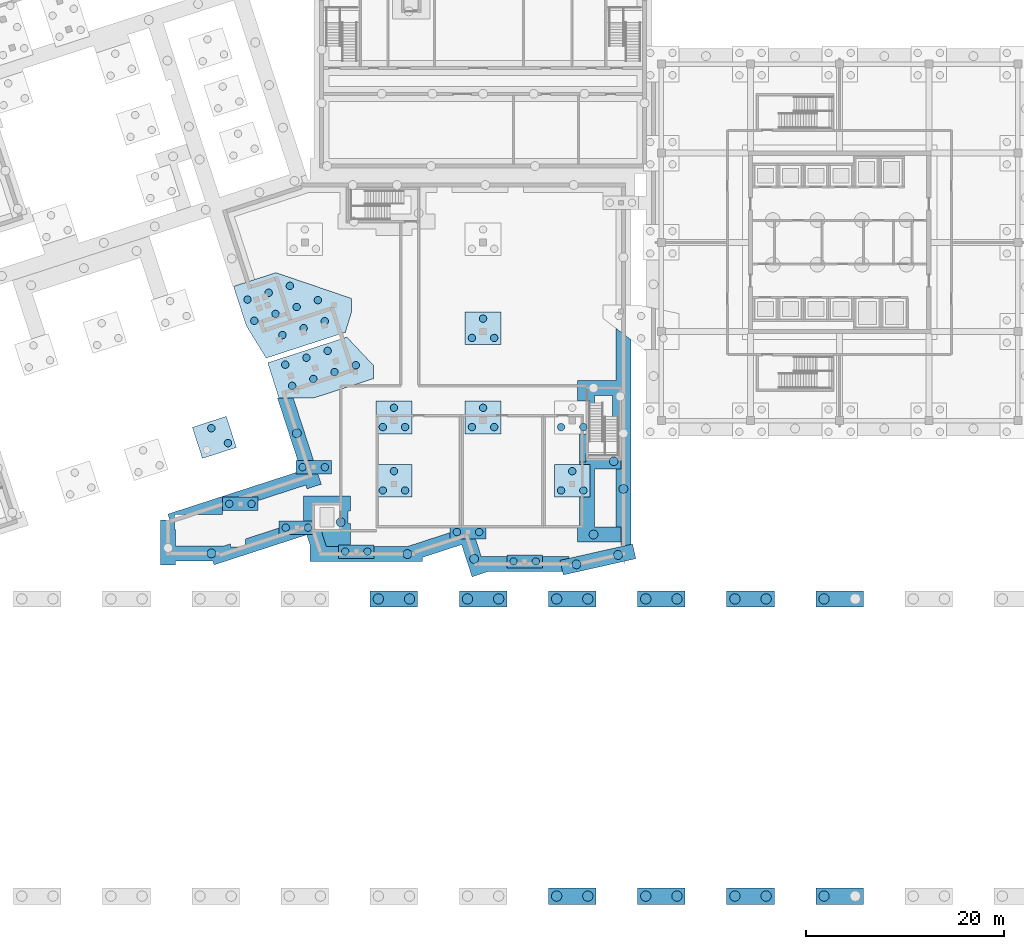
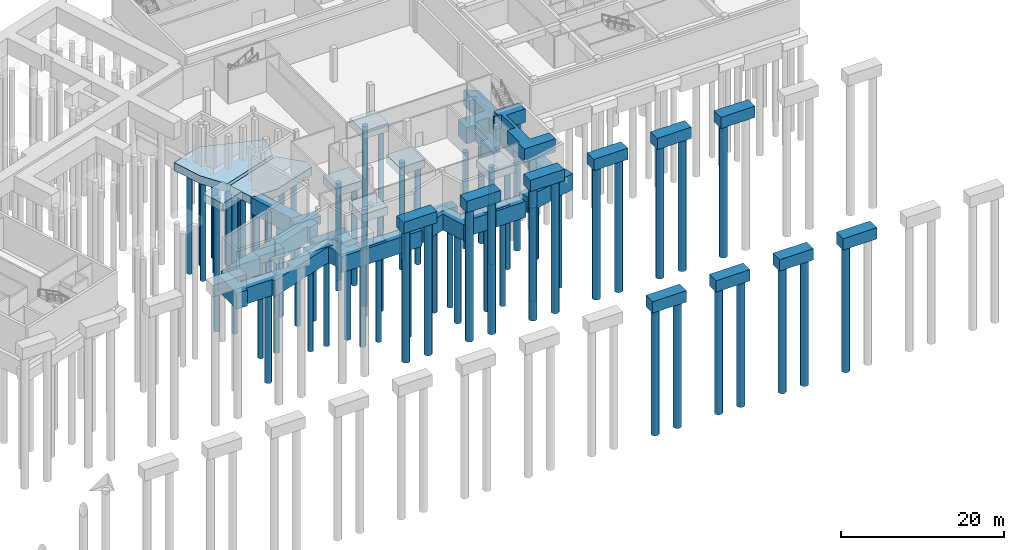
# One storey, part 2 of 17: 76 piles, 30 footings.
"""IFC4 building model written with IfcOpenShell, lengths in metres."""

import ifcopenshell
import ifcopenshell.guid

model = None  # the IFC model being written
_history = None  # IfcOwnerHistory: only IFC2X3 demands one
_inside = {}  # id of a spatial element -> (the spatial element, [elements in it])
_under = {}  # id of a project, library or spatial element -> (it, [spatial elements below it])
_declared = {}  # id of a project -> (the project, [libraries it declares])
_typed = {}  # id of a type object -> (the type object, [elements of that type])
_made_of = {}  # id of a material, layer set ... -> (it, [elements and type objects made of it])


def new_model(schema):
    """Start an empty IFC model of exactly this schema.

    Asked for "IFC4X3", IfcOpenShell would pick the latest addendum, in which some entities
    have other attributes; the version numbers below select the first issue.
    IFC2X3 requires an IfcOwnerHistory on every rooted entity: one is made here for all.
    """
    global model, _history
    if schema == "IFC4X3":
        model = ifcopenshell.file(schema_version=(4, 3, 0, 0))
    else:
        model = ifcopenshell.file(schema=schema)
    _inside.clear()
    _under.clear()
    _declared.clear()
    _typed.clear()
    _made_of.clear()
    _history = None
    if model.schema == "IFC2X3":
        org = make("IfcOrganization", Name="unknown")
        user = make(
            "IfcPersonAndOrganization",
            ThePerson=make("IfcPerson", FamilyName="unknown"),
            TheOrganization=org,
        )
        app = make(
            "IfcApplication",
            ApplicationDeveloper=org,
            Version="unknown",
            ApplicationFullName="unknown",
            ApplicationIdentifier="unknown",
        )
        _history = make(
            "IfcOwnerHistory",
            OwningUser=user,
            OwningApplication=app,
            ChangeAction="ADDED",
            CreationDate=0,
        )
    return model


def make(cls, **values):
    """One entity of the class cls with the attributes given. An attribute that is None is left unset."""
    return model.create_entity(
        cls, **{name: value for name, value in values.items() if value is not None}
    )


def rooted(cls, **values):
    """An entity with a GlobalId (a new one), such as an element, a storey or a relation."""
    return make(cls, GlobalId=ifcopenshell.guid.new(), OwnerHistory=_history, **values)


def si_unit(unit_type, name, prefix=None):
    """IfcSIUnit, for example si_unit("LENGTHUNIT", "METRE", prefix="MILLI")."""
    return make("IfcSIUnit", UnitType=unit_type, Prefix=prefix, Name=name)


def assignment(units):
    """IfcUnitAssignment: the units of a project."""
    return None if units is None else make("IfcUnitAssignment", Units=units)


def point(xyz):
    """IfcCartesianPoint."""
    return None if xyz is None else make("IfcCartesianPoint", Coordinates=xyz)


def direction(xyz):
    """IfcDirection."""
    return None if xyz is None else make("IfcDirection", DirectionRatios=xyz)


def frame(location, z_axis=None, x_axis=None):
    """IfcAxis2Placement3D, a coordinate frame: its origin and axes. An axis left out is left unset."""
    return make(
        "IfcAxis2Placement3D",
        Location=point(location),
        Axis=direction(z_axis),
        RefDirection=direction(x_axis),
    )


def frame_2d(location, x_axis=None):
    """IfcAxis2Placement2D, a coordinate frame in the plane: its origin and x axis."""
    return make(
        "IfcAxis2Placement2D", Location=point(location), RefDirection=direction(x_axis)
    )


def origin():
    """The frame at (0, 0, 0) with its axes left unset."""
    return frame((0.0, 0.0, 0.0))


def origin_2d():
    """The frame at (0, 0) in the plane with its x axis left unset."""
    return frame_2d((0.0, 0.0))


def place(relative_to, where):
    """IfcLocalPlacement: puts the frame where relative to a parent placement (None: the world)."""
    return make(
        "IfcLocalPlacement", PlacementRelTo=relative_to, RelativePlacement=where
    )


def context(
    kind, dimensions, precision=None, world=None, true_north=None, identifier=None
):
    """IfcGeometricRepresentationContext, for example the 3D "Model" context."""
    return make(
        "IfcGeometricRepresentationContext",
        ContextIdentifier=identifier,
        ContextType=kind,
        CoordinateSpaceDimension=dimensions,
        Precision=precision,
        WorldCoordinateSystem=world,
        TrueNorth=true_north,
    )


def subcontext(parent, identifier, kind, view, scale=None):
    """IfcGeometricRepresentationSubContext, for example "Body" below "Model"."""
    return make(
        "IfcGeometricRepresentationSubContext",
        ContextIdentifier=identifier,
        ContextType=kind,
        ParentContext=parent,
        TargetScale=scale,
        TargetView=view,
    )


def project(units=None, contexts=None):
    """IfcProject with its units and contexts."""
    return rooted(
        "IfcProject",
        Name="project",
        RepresentationContexts=contexts,
        UnitsInContext=assignment(units),
    )


def spatial(cls, under=None, at=None, **own):
    """A site, building, storey or space (cls), placed at a placement, below another one or the project."""
    s = rooted(cls, ObjectPlacement=at, **own)
    if under is not None:
        _under.setdefault(under.id(), (under, []))[1].append(s)
    return s


def polyline(points):
    """IfcPolyline through the points."""
    return make("IfcPolyline", Points=[point(p) for p in points])


def profile(cls, at=None, kind="AREA", **sizes):
    """A parametric profile (cls). Its sizes go by their IFC names, for example OverallWidth=200.0."""
    return make(cls, ProfileType=kind, Position=at, **sizes)


def rectangle(**sizes):
    """IfcRectangleProfileDef."""
    return profile("IfcRectangleProfileDef", **sizes)


def circle(**sizes):
    """IfcCircleProfileDef."""
    return profile("IfcCircleProfileDef", **sizes)


def outline(outer, holes=None, kind="AREA"):
    """IfcArbitraryClosedProfileDef: a profile drawn as a closed curve; with holes, ...WithVoids."""
    if holes is None:
        return make("IfcArbitraryClosedProfileDef", ProfileType=kind, OuterCurve=outer)
    return make(
        "IfcArbitraryProfileDefWithVoids",
        ProfileType=kind,
        OuterCurve=outer,
        InnerCurves=holes,
    )


def extrude(swept, where, along, depth):
    """IfcExtrudedAreaSolid: the profile swept, set in the frame where, extruded along a direction by depth."""
    return make(
        "IfcExtrudedAreaSolid",
        SweptArea=swept,
        Position=where,
        ExtrudedDirection=direction(along),
        Depth=depth,
    )


def shape(context_of_items, identifier, shape_type, items):
    """IfcShapeRepresentation: the items that make up one representation, for example the "Body"."""
    return make(
        "IfcShapeRepresentation",
        ContextOfItems=context_of_items,
        RepresentationIdentifier=identifier,
        RepresentationType=shape_type,
        Items=items,
    )


def material(Name=None, Category=None):
    """IfcMaterial."""
    return make("IfcMaterial", Name=Name, Category=Category)


def layer(
    of_material, thickness, ventilated=None, Name=None, Category=None, Priority=None
):
    """IfcMaterialLayer: one layer of a wall or slab, of a material (None: an air gap)."""
    return make(
        "IfcMaterialLayer",
        Material=of_material,
        LayerThickness=thickness,
        IsVentilated=ventilated,
        Name=Name,
        Category=Category,
        Priority=Priority,
    )


def layer_set(layers, Name=None):
    """IfcMaterialLayerSet."""
    return make("IfcMaterialLayerSet", MaterialLayers=layers, LayerSetName=Name)


def material_profile(
    of_material, cross_section, Name=None, Category=None, Priority=None
):
    """IfcMaterialProfile: a cross section and its material."""
    return make(
        "IfcMaterialProfile",
        Name=Name,
        Material=of_material,
        Profile=cross_section,
        Priority=Priority,
        Category=Category,
    )


def profile_set(profiles, Name=None, composite=None):
    """IfcMaterialProfileSet."""
    return make(
        "IfcMaterialProfileSet",
        Name=Name,
        MaterialProfiles=profiles,
        CompositeProfile=composite,
    )


def made_of(thing, what):
    """Note that an element or type object is made of a material, layer set ...; save() writes the relation."""
    if what is not None:
        _made_of.setdefault(what.id(), (what, []))[1].append(thing)
    return thing


def type_object(cls, material=None, **own):
    """A type object (cls), such as IfcWallType, which elements share."""
    return made_of(rooted(cls, **own), material)


def element(
    cls,
    number,
    at=None,
    inside=None,
    cuts=None,
    type_object=None,
    material=None,
    context=None,
    identifier="Body",
    shape_type=None,
    held_by="IfcProductDefinitionShape",
    body=None,
    shapes=None,
    **own,
):
    """One element of the class cls, such as IfcWall. Its Tag is "e" and its number.

    at: its placement. inside: the storey or other place that contains it. cuts: it is an
    opening in that element (IfcRelVoidsElement). A single representation is given by context,
    identifier, shape_type and body (its items); several are given by shapes. held_by: the class
    of the entity that holds the representations. save() writes the other relations.
    """
    e = rooted(cls, Tag="e%d" % number, ObjectPlacement=at, **own)
    if body is not None:
        shapes = [shape(context, identifier, shape_type, body)]
    if shapes is not None:
        e.Representation = make(held_by, Representations=shapes)
    if inside is not None:
        _inside.setdefault(inside.id(), (inside, []))[1].append(e)
    if cuts is not None:
        rooted(
            "IfcRelVoidsElement", RelatingBuildingElement=cuts, RelatedOpeningElement=e
        )
    if type_object is not None:
        _typed.setdefault(type_object.id(), (type_object, []))[1].append(e)
    return made_of(e, material)


def aggregate(whole, parts):
    """IfcRelAggregates: a whole, such as a stair, and the parts it consists of."""
    return rooted("IfcRelAggregates", RelatingObject=whole, RelatedObjects=parts)


def save(model, path):
    """Write the relations noted so far, then the file.

    IfcRelAggregates (storeys below a building ...), IfcRelContainedInSpatialStructure (elements
    in a storey), IfcRelDefinesByType, IfcRelAssociatesMaterial and IfcRelDeclares: one each for
    every whole, place, type object, material and project.
    """
    for whole, parts in _under.values():
        aggregate(whole, parts)
    for where, things in _inside.values():
        rooted(
            "IfcRelContainedInSpatialStructure",
            RelatedElements=things,
            RelatingStructure=where,
        )
    for kind, things in _typed.values():
        rooted("IfcRelDefinesByType", RelatedObjects=things, RelatingType=kind)
    for what, things in _made_of.values():
        rooted("IfcRelAssociatesMaterial", RelatedObjects=things, RelatingMaterial=what)
    for by, libraries in _declared.values():
        rooted("IfcRelDeclares", RelatingContext=by, RelatedDefinitions=libraries)
    model.write(path)


model = new_model("IFC4")

# Units and contexts
model_context = context("Model", 3, precision=1e-05, world=origin(), true_north=direction((0.0, 1.0)))
body_context = subcontext(model_context, "Body", "Model", "MODEL_VIEW")
ifc_project = project(units=[si_unit("LENGTHUNIT", "METRE"), si_unit("AREAUNIT", "SQUARE_METRE"), si_unit("VOLUMEUNIT", "CUBIC_METRE"), si_unit("PLANEANGLEUNIT", "RADIAN"), si_unit("MASSUNIT", "GRAM", prefix="KILO")], contexts=[model_context])

# Site, building, storey
site_placement = place(None, origin())
site = spatial("IfcSite", under=ifc_project, at=site_placement, CompositionType="ELEMENT")
building_placement = place(site_placement, origin())
building = spatial("IfcBuilding", under=site, at=building_placement, Name="Tuart Plaza Theatre", CompositionType="ELEMENT")
storey_placement = place(building_placement, frame((0.0, 0.0, -10.0)))
storey = spatial("IfcBuildingStorey", under=building, at=storey_placement, Name="B2", CompositionType="ELEMENT", Elevation=-10.0)

# Footings
ifc_material_1 = material(Name="Concrete N40 (40 MPa)", Category="concrete")
footing_type_1 = type_object("IfcFootingType", Name="CAP-2P-D1050-4800X1650X1700", PredefinedType="PILE_CAP", material=ifc_material_1)
for number, where, z_axis, x_axis, name in (
    (1, (87.0, 38.0, 3.2998046875), (0.0, 0.0, 1.0), (1.0, 0.0, 0.0), "D-CAP-044"),
    (2, (96.0, 38.0, 3.2998046875), (0.0, 0.0, 1.0), (1.0, 0.0, 0.0), "D-CAP-051"),
    (3, (105.0, 8.0, 3.2998046875), (0.0, 0.0, 1.0), (1.0, 0.0, 0.0), "D-CAP-058"),
    (4, (105.0, 38.0, 3.2998046875), (0.0, 0.0, 1.0), (1.0, 0.0, 0.0), "D-CAP-059"),
    (5, (114.0, 8.0, 3.2998046875), (0.0, 0.0, 1.0), (1.0, 0.0, 0.0), "D-CAP-064"),
    (6, (114.0, 38.0, 3.2998046875), (0.0, 0.0, 1.0), (1.0, 0.0, 0.0), "D-CAP-065"),
    (7, (123.0, 8.0, 3.2998046875), (0.0, 0.0, 1.0), (1.0, 0.0, 0.0), "D-CAP-070"),
    (8, (123.0, 38.0, 3.2998046875), (0.0, 0.0, 1.0), (1.0, 0.0, 0.0), "D-CAP-071"),
    (9, (132.0, 8.0, 3.2998046875), (0.0, 0.0, 1.0), (1.0, 0.0, 0.0), "D-CAP-075"),
    (10, (132.0, 38.0, 3.2998046875), (0.0, 0.0, 1.0), (1.0, 0.0, 0.0), "D-CAP-076"),
):
    element("IfcFooting", number, at=place(storey_placement, frame(where, z_axis=z_axis, x_axis=x_axis)), inside=storey, type_object=footing_type_1, Name=name, PredefinedType="PILE_CAP", context=body_context, shape_type="SweptSolid", body=[
        extrude(rectangle(XDim=4.800048828125, YDim=1.64990234375, at=origin_2d()), origin(), (0.0, 0.0, 1.0), 1.699951171875),
    ])
ifc_material_2 = material(Name="Concrete N40 (40 MPa)", Category="concrete")
footing_type_2 = type_object("IfcFootingType", Name="CAP-2P-D750-3600X1350X1200", PredefinedType="PILE_CAP", material=ifc_material_2)
for number, where, z_axis, x_axis, name in (
    (11, (71.5, 47.60009765625, -2.0), (0.0, 0.0, 1.0), (1.0, 0.0, 0.0), "D-CAP-033"),
    (12, (77.199951171875, 45.199951171875, -2.0), (0.0, 0.0, 1.0), (1.0, 0.0, 0.0), "D-CAP-036"),
    (13, (78.89990234375, 51.300048828125, -2.0), (0.0, 0.0, 1.0), (1.0, 0.0, 0.0), "D-CAP-040"),
    (14, (83.199951171875, 42.780029296875, -2.0), (0.0, 0.0, 1.0), (1.0, 0.0, 0.0), "D-CAP-042"),
    (15, (94.47998046875, 44.75, -2.0), (0.0, 0.0, 1.0), (1.0, 0.0, 0.0), "D-CAP-049"),
    (16, (100.199951171875, 41.780029296875, -2.0), (0.0, 0.0, 1.0), (1.0, 0.0, 0.0), "D-CAP-055"),
):
    element("IfcFooting", number, at=place(storey_placement, frame(where, z_axis=z_axis, x_axis=x_axis)), inside=storey, type_object=footing_type_2, Name=name, PredefinedType="PILE_CAP", context=body_context, shape_type="SweptSolid", body=[
        extrude(rectangle(XDim=3.60009765625, YDim=1.35009765625, at=origin_2d()), origin(), (0.0, 0.0, 1.0), 1.199951171875),
    ])
ifc_material_3 = material(Name="Concrete N40 (40 MPa)", Category="concrete")
footing_type_3 = type_object("IfcFootingType", Name="CAP-2P-D900-7509X1520X2400", PredefinedType="PILE_CAP", material=ifc_material_3)
footing_1_placement = place(storey_placement, frame((107.597412109375, 41.979736328125, -2.39990234375), z_axis=(0.0, 0.0, 1.0), x_axis=(0.975726204113, 0.218994005869, 0.0)))
element("IfcFooting", 17, at=footing_1_placement, inside=storey, type_object=footing_type_3, Name="D-CAP-113", PredefinedType="PILE_CAP", context=body_context, shape_type="SweptSolid", body=[
    extrude(rectangle(XDim=7.50927734375, YDim=1.52001953125, at=origin_2d()), origin(), (0.0, 0.0, 1.0), 2.39990234375),
])
ifc_material_4 = material(Name="Concrete N40 (40 MPa)", Category="concrete")
footing_type_4 = type_object("IfcFootingType", Name="CAP-3P-D750-3600X3299X1200", PredefinedType="PILE_CAP", material=ifc_material_4)
for number, where, z_axis, x_axis, name in (
    (18, (68.8701171875, 54.308349609375, 3.4501953125), (0.0, 0.0, 1.0), (0.951056516295, 0.309016994375, 0.0), "D-CAP-029"),
    (19, (87.0, 49.9248046875, -2.0), (0.0, 0.0, 1.0), (-1.0, 0.0, 0.0), "D-CAP-045"),
    (20, (87.0, 56.32470703125, -2.0), (0.0, 0.0, 1.0), (1.0, 0.0, 0.0), "D-CAP-046"),
    (21, (96.0, 56.32470703125, -2.0), (0.0, 0.0, 1.0), (1.0, 0.0, 0.0), "D-CAP-052"),
    (22, (96.0, 65.32470703125, -2.0), (0.0, 0.0, 1.0), (1.0, 0.0, 0.0), "D-CAP-053"),
    (23, (105.0, 49.9248046875, -2.0), (0.0, 0.0, 1.0), (-1.0, 0.0, 0.0), "D-CAP-060"),
):
    element("IfcFooting", number, at=place(storey_placement, frame(where, z_axis=z_axis, x_axis=x_axis)), inside=storey, type_object=footing_type_4, Name=name, PredefinedType="PILE_CAP", context=body_context, shape_type="SweptSolid", body=[
        extrude(rectangle(XDim=3.60009765625, YDim=3.299072265625, at=origin_2d()), origin(), (0.0, 0.0, 1.0), 1.199951171875),
    ])
ifc_material_5 = material(Name="Concrete N40 (40 MPa)", Category="concrete")
ifc_layer_1 = layer(ifc_material_5, 1.199951171875)
ifc_layer_set_1 = layer_set([ifc_layer_1], Name="CAP-STRIP-D750-T1200")
footing_type_5 = type_object("IfcFootingType", Name="CAP-STRIP-D750-T1200", PredefinedType="PILE_CAP", material=ifc_layer_set_1)
footing_2_placement = place(storey_placement, frame((0.0, 0.0, -2.0)))
element("IfcFooting", 24, at=footing_2_placement, inside=storey, type_object=footing_type_5, Name="D-CAP-035", PredefinedType="PILE_CAP", context=body_context, shape_type="SweptSolid", body=[
    extrude(outline(polyline([(74.101318359375, 62.3173828125), (72.101806640625, 65.55810546875), (71.08251953125, 68.69580078125), (70.80419921875, 69.551513671875), (71.660400390625, 69.82958984375), (75.083984375, 70.942138671875), (82.72998046875, 68.3349609375), (82.72998046875, 66.985107421875), (82.090087890625, 64.9130859375), (79.997802734375, 64.233154296875), (76.573974609375, 63.120849609375), (74.101318359375, 62.3173828125)])), origin(), (0.0, 0.0, 1.0), 1.199951171875),
])
footing_3_placement = place(storey_placement, frame((0.0, 0.0, -2.0)))
element("IfcFooting", 25, at=footing_3_placement, inside=storey, type_object=footing_type_5, Name="D-CAP-041", PredefinedType="PILE_CAP", context=body_context, shape_type="SweptSolid", body=[
    extrude(outline(polyline([(75.381591796875, 58.310302734375), (74.256103515625, 61.8408203125), (78.821044921875, 63.32421875), (82.244873046875, 64.4365234375), (84.929931640625, 61.5849609375), (84.929931640625, 60.235107421875), (78.981689453125, 58.310302734375), (75.381591796875, 58.310302734375)])), origin(), (0.0, 0.0, 1.0), 1.199951171875),
])
ifc_material_6 = material(Name="Concrete N40 (40 MPa)", Category="concrete")
ifc_layer_2 = layer(ifc_material_6, 1.800048828125)
ifc_layer_set_2 = layer_set([ifc_layer_2], Name="CAP-STRIP-D900-T1800")
footing_type_6 = type_object("IfcFootingType", Name="CAP-STRIP-D900-T1800", PredefinedType="PILE_CAP", material=ifc_layer_set_2)
footing_4_placement = place(storey_placement, frame((0.0, 0.0, -3.60009765625)))
element("IfcFooting", 26, at=footing_4_placement, inside=storey, type_object=footing_type_6, Name="D-CAP-108", PredefinedType="PILE_CAP", context=body_context, shape_type="SweptSolid", body=[
    extrude(outline(polyline([(80.18408203125, 43.2880859375), (81.39990234375, 43.2880859375), (81.39990234375, 43.455078125), (82.635009765625, 43.455078125), (82.635009765625, 45.635009765625), (82.385009765625, 45.635009765625), (82.385009765625, 46.864990234375), (82.635009765625, 46.864990234375), (82.635009765625, 48.385009765625), (77.864990234375, 48.385009765625), (77.864990234375, 45.875), (79.0, 45.875), (79.0, 45.32421875), (79.472412109375, 45.477783203125), (80.18408203125, 43.2880859375)]), holes=[polyline([(79.635009765625, 45.635009765625), (80.864990234375, 45.635009765625), (80.864990234375, 46.864990234375), (79.635009765625, 46.864990234375), (79.635009765625, 45.635009765625)])]), origin(), (0.0, 0.0, 1.0), 1.800048828125),
])
ifc_material_7 = material(Name="Concrete N40 (40 MPa)", Category="concrete")
ifc_layer_3 = layer(ifc_material_7, 2.0)
ifc_layer_set_3 = layer_set([ifc_layer_3], Name="CAP-STRIP-D900-T2000")
footing_type_7 = type_object("IfcFootingType", Name="CAP-STRIP-D900-T2000", PredefinedType="PILE_CAP", material=ifc_layer_set_3)
footing_5_placement = place(storey_placement, frame((0.0, 0.0, 2.699951171875)))
element("IfcFooting", 27, at=footing_5_placement, inside=storey, type_object=footing_type_7, Name="D-CAP-112", PredefinedType="PILE_CAP", context=body_context, shape_type="SweptSolid", body=[
    extrude(outline(polyline([(105.739990234375, 51.57421875), (106.800048828125, 51.57421875), (106.800048828125, 48.275390625), (105.739990234375, 48.275390625), (105.739990234375, 45.260009765625), (105.5400390625, 45.260009765625), (105.5400390625, 43.739990234375), (109.943115234375, 43.739990234375), (109.943115234375, 45.260009765625), (107.260009765625, 45.260009765625), (107.260009765625, 51.139892578125), (109.943115234375, 51.139892578125), (109.943115234375, 52.659912109375), (106.39990234375, 52.659912109375), (106.39990234375, 51.800048828125), (105.739990234375, 51.800048828125), (105.739990234375, 51.57421875)])), origin(), (0.0, 0.0, 1.0), 2.0),
])
ifc_material_8 = material(Name="Concrete N40 (40 MPa)", Category="concrete")
ifc_layer_4 = layer(ifc_material_8, 2.39990234375)
ifc_layer_set_4 = layer_set([ifc_layer_4], Name="CAP-STRIP-D900-T2400")
footing_type_8 = type_object("IfcFootingType", Name="CAP-STRIP-D900-T2400", PredefinedType="PILE_CAP", material=ifc_layer_set_4)
footing_6_placement = place(storey_placement, frame((0.0, 0.0, -3.199951171875)))
element("IfcFooting", 28, at=footing_6_placement, inside=storey, type_object=footing_type_8, Name="D-CAP-106", PredefinedType="PILE_CAP", context=body_context, shape_type="SweptSolid", body=[
    extrude(outline(polyline([(77.29345703125, 51.97509765625), (78.8916015625, 51.97509765625), (76.8330078125, 58.310302734375), (75.23486328125, 58.310302734375), (77.29345703125, 51.97509765625)])), origin(), (0.0, 0.0, 1.0), 2.39990234375),
])
footing_7_placement = place(storey_placement, frame((0.0, 0.0, -3.199951171875)))
element("IfcFooting", 29, at=footing_7_placement, inside=storey, type_object=footing_type_8, Name="D-CAP-107", PredefinedType="PILE_CAP", context=body_context, shape_type="SweptSolid", body=[
    extrude(outline(polyline([(64.352783203125, 45.98291015625), (63.43994140625, 45.98291015625), (63.43994140625, 41.43994140625), (64.9599609375, 41.43994140625), (64.9599609375, 41.840087890625), (68.702392578125, 41.840087890625), (68.834716796875, 41.4326171875), (78.199951171875, 44.4755859375), (78.516357421875, 43.501953125), (78.516357421875, 41.76806640625), (89.893798828125, 41.76806640625), (89.893798828125, 42.1962890625), (93.83349609375, 43.476318359375), (94.88720703125, 40.23291015625), (96.536376953125, 40.768798828125), (104.021240234375, 40.768798828125), (103.767578125, 41.899169921875), (104.675048828125, 42.102783203125), (104.675048828125, 42.288818359375), (102.0, 42.288818359375), (102.0, 41.10498046875), (98.39990234375, 41.10498046875), (98.39990234375, 42.288818359375), (95.8173828125, 42.288818359375), (95.237060546875, 44.074951171875), (92.679931640625, 44.074951171875), (92.679931640625, 44.699951171875), (88.33447265625, 43.2880859375), (85.0, 43.2880859375), (85.0, 42.10498046875), (81.39990234375, 42.10498046875), (81.39990234375, 43.2880859375), (80.18408203125, 43.2880859375), (79.472412109375, 45.477783203125), (79.0, 45.32421875), (79.0, 44.52490234375), (75.39990234375, 44.52490234375), (75.39990234375, 45.1640625), (72.010009765625, 44.0625), (72.010009765625, 43.247802734375), (70.489990234375, 43.247802734375), (70.489990234375, 43.568603515625), (69.847900390625, 43.360107421875), (64.9599609375, 43.360107421875), (64.9599609375, 44.989990234375), (64.842041015625, 44.989990234375), (64.842041015625, 46.510009765625), (69.699951171875, 46.510009765625), (69.699951171875, 48.27490234375), (73.300048828125, 48.27490234375), (73.300048828125, 47.930419921875), (78.100830078125, 49.490234375), (78.224365234375, 49.10986328125), (79.669921875, 49.57958984375), (79.330322265625, 50.625), (77.10009765625, 50.625), (77.10009765625, 50.76318359375), (64.1650390625, 46.560546875), (64.352783203125, 45.98291015625)])), origin(), (0.0, 0.0, 1.0), 2.39990234375),
])
footing_8_placement = place(storey_placement, frame((0.0, 0.0, -3.199951171875)))
element("IfcFooting", 30, at=footing_8_placement, inside=storey, type_object=footing_type_8, Name="D-CAP-114", PredefinedType="PILE_CAP", context=body_context, shape_type="SweptSolid", body=[
    extrude(outline(polyline([(107.260009765625, 58.5400390625), (109.090087890625, 58.5400390625), (109.090087890625, 52.659912109375), (109.943115234375, 52.659912109375), (109.943115234375, 51.139892578125), (109.4033203125, 51.139892578125), (109.4033203125, 45.260009765625), (109.943115234375, 45.260009765625), (109.943115234375, 43.739990234375), (109.91845703125, 43.739990234375), (109.96826171875, 43.290771484375), (110.923095703125, 43.505126953125), (110.923095703125, 64.175537109375), (109.403076171875, 65.3369140625), (109.403076171875, 60.06005859375), (105.5400390625, 60.06005859375), (105.5400390625, 57.974365234375), (106.800048828125, 57.974365234375), (106.800048828125, 54.67529296875), (105.739990234375, 54.67529296875), (105.739990234375, 51.800048828125), (106.39990234375, 51.800048828125), (106.39990234375, 52.659912109375), (107.260009765625, 52.659912109375), (107.260009765625, 58.5400390625)])), origin(), (0.0, 0.0, 1.0), 2.39990234375),
])

# Piles
ifc_material_9 = material(Name="Concrete N40 (40 MPa)", Category="concrete")
ifc_material_profile_1 = material_profile(ifc_material_9, circle(Radius=0.52490234375, at=origin_2d()), Name="PILE-BORED-D1050")
ifc_profile_set_1 = profile_set([ifc_material_profile_1], Name="Concrete N40 (40 MPa)")
pile_type_1 = type_object("IfcPileType", Name="PILE-BORED-D1050", PredefinedType="BORED", material=ifc_profile_set_1)
for number, where, z_axis, x_axis, name in (
    (31, (85.425048828125, 38.0, 3.300048828125), (0.0, 0.0, -1.0), (1.0, 0.0, 0.0), "D-PIL-044-01"),
    (32, (88.574951171875, 38.0, 3.300048828125), (0.0, 0.0, -1.0), (1.0, 0.0, 0.0), "D-PIL-044-02"),
    (33, (94.425048828125, 38.0, 3.300048828125), (0.0, 0.0, -1.0), (1.0, 0.0, 0.0), "D-PIL-051-01"),
    (34, (97.574951171875, 38.0, 3.300048828125), (0.0, 0.0, -1.0), (1.0, 0.0, 0.0), "D-PIL-051-02"),
):
    element("IfcPile", number, at=place(storey_placement, frame(where, z_axis=z_axis, x_axis=x_axis)), inside=storey, type_object=pile_type_1, Name=name, PredefinedType="BORED", context=body_context, shape_type="SweptSolid", body=[
        extrude(circle(Radius=0.52490234375, at=origin_2d()), origin(), (0.0, 0.0, 1.0), 19.800048828125),
    ])
for number, where, z_axis, x_axis, name in (
    (35, (103.425048828125, 8.0, 3.300048828125), (0.0, 0.0, -1.0), (1.0, 0.0, 0.0), "D-PIL-058-01"),
    (36, (106.574951171875, 8.0, 3.300048828125), (0.0, 0.0, -1.0), (1.0, 0.0, 0.0), "D-PIL-058-02"),
):
    element("IfcPile", number, at=place(storey_placement, frame(where, z_axis=z_axis, x_axis=x_axis)), inside=storey, type_object=pile_type_1, Name=name, PredefinedType="BORED", context=body_context, shape_type="SweptSolid", body=[
        extrude(circle(Radius=0.52490234375, at=origin_2d()), origin(), (0.0, 0.0, 1.0), 18.800048828125),
    ])
for number, where, z_axis, x_axis, name in (
    (37, (103.425048828125, 38.0, 3.300048828125), (0.0, 0.0, -1.0), (1.0, 0.0, 0.0), "D-PIL-059-01"),
    (38, (106.574951171875, 38.0, 3.300048828125), (0.0, 0.0, -1.0), (1.0, 0.0, 0.0), "D-PIL-059-02"),
):
    element("IfcPile", number, at=place(storey_placement, frame(where, z_axis=z_axis, x_axis=x_axis)), inside=storey, type_object=pile_type_1, Name=name, PredefinedType="BORED", context=body_context, shape_type="SweptSolid", body=[
        extrude(circle(Radius=0.52490234375, at=origin_2d()), origin(), (0.0, 0.0, 1.0), 19.800048828125),
    ])
for number, where, z_axis, x_axis, name in (
    (39, (112.425048828125, 8.0, 3.300048828125), (0.0, 0.0, -1.0), (1.0, 0.0, 0.0), "D-PIL-064-01"),
    (40, (115.574951171875, 8.0, 3.300048828125), (0.0, 0.0, -1.0), (1.0, 0.0, 0.0), "D-PIL-064-02"),
):
    element("IfcPile", number, at=place(storey_placement, frame(where, z_axis=z_axis, x_axis=x_axis)), inside=storey, type_object=pile_type_1, Name=name, PredefinedType="BORED", context=body_context, shape_type="SweptSolid", body=[
        extrude(circle(Radius=0.52490234375, at=origin_2d()), origin(), (0.0, 0.0, 1.0), 18.800048828125),
    ])
for number, where, z_axis, x_axis, name in (
    (41, (112.425048828125, 38.0, 3.300048828125), (0.0, 0.0, -1.0), (1.0, 0.0, 0.0), "D-PIL-065-01"),
    (42, (115.574951171875, 38.0, 3.300048828125), (0.0, 0.0, -1.0), (1.0, 0.0, 0.0), "D-PIL-065-02"),
):
    element("IfcPile", number, at=place(storey_placement, frame(where, z_axis=z_axis, x_axis=x_axis)), inside=storey, type_object=pile_type_1, Name=name, PredefinedType="BORED", context=body_context, shape_type="SweptSolid", body=[
        extrude(circle(Radius=0.52490234375, at=origin_2d()), origin(), (0.0, 0.0, 1.0), 19.800048828125),
    ])
for number, where, z_axis, x_axis, name in (
    (43, (121.425048828125, 8.0, 3.300048828125), (0.0, 0.0, -1.0), (1.0, 0.0, 0.0), "D-PIL-070-01"),
    (44, (124.574951171875, 8.0, 3.300048828125), (0.0, 0.0, -1.0), (1.0, 0.0, 0.0), "D-PIL-070-02"),
):
    element("IfcPile", number, at=place(storey_placement, frame(where, z_axis=z_axis, x_axis=x_axis)), inside=storey, type_object=pile_type_1, Name=name, PredefinedType="BORED", context=body_context, shape_type="SweptSolid", body=[
        extrude(circle(Radius=0.52490234375, at=origin_2d()), origin(), (0.0, 0.0, 1.0), 18.800048828125),
    ])
for number, where, z_axis, x_axis, name in (
    (45, (121.425048828125, 38.0, 3.300048828125), (0.0, 0.0, -1.0), (1.0, 0.0, 0.0), "D-PIL-071-01"),
    (46, (124.574951171875, 38.0, 3.300048828125), (0.0, 0.0, -1.0), (1.0, 0.0, 0.0), "D-PIL-071-02"),
):
    element("IfcPile", number, at=place(storey_placement, frame(where, z_axis=z_axis, x_axis=x_axis)), inside=storey, type_object=pile_type_1, Name=name, PredefinedType="BORED", context=body_context, shape_type="SweptSolid", body=[
        extrude(circle(Radius=0.52490234375, at=origin_2d()), origin(), (0.0, 0.0, 1.0), 19.800048828125),
    ])
pile_1_placement = place(storey_placement, frame((130.425048828125, 8.0, 3.300048828125), z_axis=(0.0, 0.0, -1.0), x_axis=(1.0, 0.0, 0.0)))
element("IfcPile", 47, at=pile_1_placement, inside=storey, type_object=pile_type_1, Name="D-PIL-075-01", PredefinedType="BORED", context=body_context, shape_type="SweptSolid", body=[
    extrude(circle(Radius=0.52490234375, at=origin_2d()), origin(), (0.0, 0.0, 1.0), 18.800048828125),
])
pile_2_placement = place(storey_placement, frame((130.425048828125, 38.0, 3.300048828125), z_axis=(0.0, 0.0, -1.0), x_axis=(1.0, 0.0, 0.0)))
element("IfcPile", 48, at=pile_2_placement, inside=storey, type_object=pile_type_1, Name="D-PIL-076-01", PredefinedType="BORED", context=body_context, shape_type="SweptSolid", body=[
    extrude(circle(Radius=0.52490234375, at=origin_2d()), origin(), (0.0, 0.0, 1.0), 19.800048828125),
])
ifc_material_10 = material(Name="Concrete N40 (40 MPa)", Category="concrete")
ifc_material_profile_2 = material_profile(ifc_material_10, circle(Radius=0.375, at=origin_2d()), Name="PILE-BORED-D750")
ifc_profile_set_2 = profile_set([ifc_material_profile_2], Name="Concrete N40 (40 MPa)")
pile_type_2 = type_object("IfcPileType", Name="PILE-BORED-D750", PredefinedType="BORED", material=ifc_profile_set_2)
for number, where, z_axis, x_axis, name in (
    (49, (70.2412109375, 53.7294921875, 3.449951171875), (0.0, 0.0, -1.0), (1.0, 0.0, 0.0), "D-PIL-029-02"),
    (50, (68.569091796875, 55.23486328125, 3.449951171875), (0.0, 0.0, -1.0), (1.0, 0.0, 0.0), "D-PIL-029-03"),
):
    element("IfcPile", number, at=place(storey_placement, frame(where, z_axis=z_axis, x_axis=x_axis)), inside=storey, type_object=pile_type_2, Name=name, PredefinedType="BORED", context=body_context, shape_type="SweptSolid", body=[
        extrude(circle(Radius=0.375, at=origin_2d()), origin(), (0.0, 0.0, 1.0), 19.949951171875),
    ])
for number, where, z_axis, x_axis, name in (
    (51, (70.375, 47.60009765625, -2.0), (0.0, 0.0, -1.0), (1.0, 0.0, 0.0), "D-PIL-033-01"),
    (52, (72.625, 47.60009765625, -2.0), (0.0, 0.0, -1.0), (1.0, 0.0, 0.0), "D-PIL-033-02"),
):
    element("IfcPile", number, at=place(storey_placement, frame(where, z_axis=z_axis, x_axis=x_axis)), inside=storey, type_object=pile_type_2, Name=name, PredefinedType="BORED", context=body_context, shape_type="SweptSolid", body=[
        extrude(circle(Radius=0.375, at=origin_2d()), origin(), (0.0, 0.0, 1.0), 14.5),
    ])
for number, where, z_axis, x_axis, name in (
    (53, (72.90869140625, 66.08251953125, -2.0), (0.0, 0.0, -1.0), (1.0, 0.0, 0.0), "D-PIL-035-01"),
    (54, (72.214111328125, 68.220458984375, -2.0), (0.0, 0.0, -1.0), (1.0, 0.0, 0.0), "D-PIL-035-02"),
    (55, (75.740966796875, 64.639404296875, -2.0), (0.0, 0.0, -1.0), (1.0, 0.0, 0.0), "D-PIL-035-03"),
    (56, (75.04638671875, 66.777099609375, -2.0), (0.0, 0.0, -1.0), (1.0, 0.0, 0.0), "D-PIL-035-04"),
    (57, (74.351806640625, 68.9150390625, -2.0), (0.0, 0.0, -1.0), (1.0, 0.0, 0.0), "D-PIL-035-05"),
    (58, (77.87890625, 65.333984375, -2.0), (0.0, 0.0, -1.0), (1.0, 0.0, 0.0), "D-PIL-035-06"),
    (59, (77.18408203125, 67.4716796875, -2.0), (0.0, 0.0, -1.0), (1.0, 0.0, 0.0), "D-PIL-035-07"),
    (60, (76.489501953125, 69.609619140625, -2.0), (0.0, 0.0, -1.0), (1.0, 0.0, 0.0), "D-PIL-035-08"),
    (61, (80.0166015625, 66.02880859375, -2.0), (0.0, 0.0, -1.0), (1.0, 0.0, 0.0), "D-PIL-035-09"),
    (62, (79.322021484375, 68.16650390625, -2.0), (0.0, 0.0, -1.0), (1.0, 0.0, 0.0), "D-PIL-035-10"),
):
    element("IfcPile", number, at=place(storey_placement, frame(where, z_axis=z_axis, x_axis=x_axis)), inside=storey, type_object=pile_type_2, Name=name, PredefinedType="BORED", context=body_context, shape_type="SweptSolid", body=[
        extrude(circle(Radius=0.375, at=origin_2d()), origin(), (0.0, 0.0, 1.0), 15.0),
    ])
for number, where, z_axis, x_axis, name in (
    (63, (76.074951171875, 45.199951171875, -2.0), (0.0, 0.0, -1.0), (1.0, 0.0, 0.0), "D-PIL-036-01"),
    (64, (78.324951171875, 45.199951171875, -2.0), (0.0, 0.0, -1.0), (1.0, 0.0, 0.0), "D-PIL-036-02"),
):
    element("IfcPile", number, at=place(storey_placement, frame(where, z_axis=z_axis, x_axis=x_axis)), inside=storey, type_object=pile_type_2, Name=name, PredefinedType="BORED", context=body_context, shape_type="SweptSolid", body=[
        extrude(circle(Radius=0.375, at=origin_2d()), origin(), (0.0, 0.0, 1.0), 14.0),
    ])
for number, where, z_axis, x_axis, name in (
    (65, (77.77490234375, 51.300048828125, -2.0), (0.0, 0.0, -1.0), (1.0, 0.0, 0.0), "D-PIL-040-01"),
    (66, (80.02490234375, 51.300048828125, -2.0), (0.0, 0.0, -1.0), (1.0, 0.0, 0.0), "D-PIL-040-02"),
    (67, (76.72314453125, 59.514404296875, -2.0), (0.0, 0.0, -1.0), (1.0, 0.0, 0.0), "D-PIL-041-01"),
    (68, (76.02783203125, 61.654296875, -2.0), (0.0, 0.0, -1.0), (1.0, 0.0, 0.0), "D-PIL-041-02"),
    (69, (78.863037109375, 60.209716796875, -2.0), (0.0, 0.0, -1.0), (1.0, 0.0, 0.0), "D-PIL-041-03"),
    (70, (78.167724609375, 62.349609375, -2.0), (0.0, 0.0, -1.0), (1.0, 0.0, 0.0), "D-PIL-041-04"),
    (71, (81.0029296875, 60.90478515625, -2.0), (0.0, 0.0, -1.0), (1.0, 0.0, 0.0), "D-PIL-041-05"),
):
    element("IfcPile", number, at=place(storey_placement, frame(where, z_axis=z_axis, x_axis=x_axis)), inside=storey, type_object=pile_type_2, Name=name, PredefinedType="BORED", context=body_context, shape_type="SweptSolid", body=[
        extrude(circle(Radius=0.375, at=origin_2d()), origin(), (0.0, 0.0, 1.0), 14.5),
    ])
pile_3_placement = place(storey_placement, frame((80.3076171875, 63.044921875, -2.0), z_axis=(0.0, 0.0, -1.0), x_axis=(1.0, 0.0, 0.0)))
element("IfcPile", 72, at=pile_3_placement, inside=storey, type_object=pile_type_2, Name="D-PIL-041-06", PredefinedType="BORED", context=body_context, shape_type="SweptSolid", body=[
    extrude(circle(Radius=0.375, at=origin_2d()), origin(), (0.0, 0.0, 1.0), 15.0),
])
pile_4_placement = place(storey_placement, frame((83.142822265625, 61.60009765625, -2.0), z_axis=(0.0, 0.0, -1.0), x_axis=(1.0, 0.0, 0.0)))
element("IfcPile", 73, at=pile_4_placement, inside=storey, type_object=pile_type_2, Name="D-PIL-041-07", PredefinedType="BORED", context=body_context, shape_type="SweptSolid", body=[
    extrude(circle(Radius=0.375, at=origin_2d()), origin(), (0.0, 0.0, 1.0), 14.5),
])
for number, where, z_axis, x_axis, name in (
    (74, (82.074951171875, 42.780029296875, -2.0), (0.0, 0.0, -1.0), (1.0, 0.0, 0.0), "D-PIL-042-01"),
    (75, (84.324951171875, 42.780029296875, -2.0), (0.0, 0.0, -1.0), (1.0, 0.0, 0.0), "D-PIL-042-02"),
):
    element("IfcPile", number, at=place(storey_placement, frame(where, z_axis=z_axis, x_axis=x_axis)), inside=storey, type_object=pile_type_2, Name=name, PredefinedType="BORED", context=body_context, shape_type="SweptSolid", body=[
        extrude(circle(Radius=0.375, at=origin_2d()), origin(), (0.0, 0.0, 1.0), 14.0),
    ])
for number, where, z_axis, x_axis, name in (
    (76, (85.875, 48.950439453125, -2.0), (0.0, 0.0, -1.0), (1.0, 0.0, 0.0), "D-PIL-045-01"),
    (77, (88.125, 48.950439453125, -2.0), (0.0, 0.0, -1.0), (1.0, 0.0, 0.0), "D-PIL-045-02"),
    (78, (87.0, 50.89892578125, -2.0), (0.0, 0.0, -1.0), (1.0, 0.0, 0.0), "D-PIL-045-03"),
    (79, (85.875, 55.3505859375, -2.0), (0.0, 0.0, -1.0), (1.0, 0.0, 0.0), "D-PIL-046-01"),
    (80, (88.125, 55.3505859375, -2.0), (0.0, 0.0, -1.0), (1.0, 0.0, 0.0), "D-PIL-046-02"),
    (81, (87.0, 57.299072265625, -2.0), (0.0, 0.0, -1.0), (1.0, 0.0, 0.0), "D-PIL-046-03"),
):
    element("IfcPile", number, at=place(storey_placement, frame(where, z_axis=z_axis, x_axis=x_axis)), inside=storey, type_object=pile_type_2, Name=name, PredefinedType="BORED", context=body_context, shape_type="SweptSolid", body=[
        extrude(circle(Radius=0.375, at=origin_2d()), origin(), (0.0, 0.0, 1.0), 14.5),
    ])
for number, where, z_axis, x_axis, name in (
    (82, (93.35498046875, 44.75, -2.0), (0.0, 0.0, -1.0), (1.0, 0.0, 0.0), "D-PIL-049-01"),
    (83, (95.60498046875, 44.75, -2.0), (0.0, 0.0, -1.0), (1.0, 0.0, 0.0), "D-PIL-049-02"),
):
    element("IfcPile", number, at=place(storey_placement, frame(where, z_axis=z_axis, x_axis=x_axis)), inside=storey, type_object=pile_type_2, Name=name, PredefinedType="BORED", context=body_context, shape_type="SweptSolid", body=[
        extrude(circle(Radius=0.375, at=origin_2d()), origin(), (0.0, 0.0, 1.0), 14.0),
    ])
for number, where, z_axis, x_axis, name in (
    (84, (94.875, 55.3505859375, -2.0), (0.0, 0.0, -1.0), (1.0, 0.0, 0.0), "D-PIL-052-01"),
    (85, (97.125, 55.3505859375, -2.0), (0.0, 0.0, -1.0), (1.0, 0.0, 0.0), "D-PIL-052-02"),
    (86, (96.0, 57.299072265625, -2.0), (0.0, 0.0, -1.0), (1.0, 0.0, 0.0), "D-PIL-052-03"),
):
    element("IfcPile", number, at=place(storey_placement, frame(where, z_axis=z_axis, x_axis=x_axis)), inside=storey, type_object=pile_type_2, Name=name, PredefinedType="BORED", context=body_context, shape_type="SweptSolid", body=[
        extrude(circle(Radius=0.375, at=origin_2d()), origin(), (0.0, 0.0, 1.0), 14.5),
    ])
for number, where, z_axis, x_axis, name in (
    (87, (94.875, 64.3505859375, -2.0), (0.0, 0.0, -1.0), (1.0, 0.0, 0.0), "D-PIL-053-01"),
    (88, (97.125, 64.3505859375, -2.0), (0.0, 0.0, -1.0), (1.0, 0.0, 0.0), "D-PIL-053-02"),
    (89, (96.0, 66.299072265625, -2.0), (0.0, 0.0, -1.0), (1.0, 0.0, 0.0), "D-PIL-053-03"),
):
    element("IfcPile", number, at=place(storey_placement, frame(where, z_axis=z_axis, x_axis=x_axis)), inside=storey, type_object=pile_type_2, Name=name, PredefinedType="BORED", context=body_context, shape_type="SweptSolid", body=[
        extrude(circle(Radius=0.375, at=origin_2d()), origin(), (0.0, 0.0, 1.0), 15.0),
    ])
for number, where, z_axis, x_axis, name in (
    (90, (99.074951171875, 41.780029296875, -2.0), (0.0, 0.0, -1.0), (1.0, 0.0, 0.0), "D-PIL-055-01"),
    (91, (101.324951171875, 41.780029296875, -2.0), (0.0, 0.0, -1.0), (1.0, 0.0, 0.0), "D-PIL-055-02"),
):
    element("IfcPile", number, at=place(storey_placement, frame(where, z_axis=z_axis, x_axis=x_axis)), inside=storey, type_object=pile_type_2, Name=name, PredefinedType="BORED", context=body_context, shape_type="SweptSolid", body=[
        extrude(circle(Radius=0.375, at=origin_2d()), origin(), (0.0, 0.0, 1.0), 14.0),
    ])
for number, where, z_axis, x_axis, name in (
    (92, (103.875, 48.950439453125, -2.0), (0.0, 0.0, -1.0), (1.0, 0.0, 0.0), "D-PIL-060-01"),
    (93, (106.125, 48.950439453125, -2.0), (0.0, 0.0, -1.0), (1.0, 0.0, 0.0), "D-PIL-060-02"),
    (94, (105.0, 50.89892578125, -2.0), (0.0, 0.0, -1.0), (1.0, 0.0, 0.0), "D-PIL-060-03"),
    (95, (103.875, 55.3505859375, -2.0), (0.0, 0.0, -1.0), (1.0, 0.0, 0.0), "D-PIL-061-01"),
    (96, (106.125, 55.3505859375, -2.0), (0.0, 0.0, -1.0), (1.0, 0.0, 0.0), "D-PIL-061-02"),
):
    element("IfcPile", number, at=place(storey_placement, frame(where, z_axis=z_axis, x_axis=x_axis)), inside=storey, type_object=pile_type_2, Name=name, PredefinedType="BORED", context=body_context, shape_type="SweptSolid", body=[
        extrude(circle(Radius=0.375, at=origin_2d()), origin(), (0.0, 0.0, 1.0), 14.5),
    ])
ifc_material_11 = material(Name="Concrete N40 (40 MPa)", Category="concrete")
ifc_material_profile_3 = material_profile(ifc_material_11, circle(Radius=0.449951171875, at=origin_2d()), Name="PILE-BORED-D900")
ifc_profile_set_3 = profile_set([ifc_material_profile_3], Name="Concrete N40 (40 MPa)")
pile_type_3 = type_object("IfcPileType", Name="PILE-BORED-D900", PredefinedType="BORED", material=ifc_profile_set_3)
pile_5_placement = place(storey_placement, frame((77.197021484375, 54.731201171875, -3.199951171875), z_axis=(0.0, 0.0, -1.0), x_axis=(1.0, 0.0, 0.0)))
element("IfcPile", 97, at=pile_5_placement, inside=storey, type_object=pile_type_3, Name="D-PIL-106-01", PredefinedType="BORED", context=body_context, shape_type="SweptSolid", body=[
    extrude(circle(Radius=0.449951171875, at=origin_2d()), origin(), (0.0, 0.0, 1.0), 13.800048828125),
])
for number, where, z_axis, x_axis, name in (
    (98, (68.571044921875, 42.60009765625, -3.199951171875), (0.0, 0.0, -1.0), (1.0, 0.0, 0.0), "D-PIL-107-02"),
    (99, (88.35205078125, 42.528076171875, -3.199951171875), (0.0, 0.0, -1.0), (1.0, 0.0, 0.0), "D-PIL-107-03"),
    (100, (95.098388671875, 42.042236328125, -3.199951171875), (0.0, 0.0, -1.0), (1.0, 0.0, 0.0), "D-PIL-107-04"),
):
    element("IfcPile", number, at=place(storey_placement, frame(where, z_axis=z_axis, x_axis=x_axis)), inside=storey, type_object=pile_type_3, Name=name, PredefinedType="BORED", context=body_context, shape_type="SweptSolid", body=[
        extrude(circle(Radius=0.449951171875, at=origin_2d()), origin(), (0.0, 0.0, 1.0), 13.300048828125),
    ])
pile_6_placement = place(storey_placement, frame((81.625, 45.75, -3.60009765625), z_axis=(0.0, 0.0, -1.0), x_axis=(1.0, 0.0, 0.0)))
element("IfcPile", 101, at=pile_6_placement, inside=storey, type_object=pile_type_3, Name="D-PIL-108-01", PredefinedType="BORED", context=body_context, shape_type="SweptSolid", body=[
    extrude(circle(Radius=0.449951171875, at=origin_2d()), origin(), (0.0, 0.0, 1.0), 12.89990234375),
])
for number, where, z_axis, x_axis, name in (
    (102, (107.14990234375, 44.5, 2.699951171875), (0.0, 0.0, -1.0), (1.0, 0.0, 0.0), "D-PIL-112-01"),
    (103, (109.193115234375, 51.89990234375, 2.699951171875), (0.0, 0.0, -1.0), (1.0, 0.0, 0.0), "D-PIL-112-02"),
):
    element("IfcPile", number, at=place(storey_placement, frame(where, z_axis=z_axis, x_axis=x_axis)), inside=storey, type_object=pile_type_3, Name=name, PredefinedType="BORED", context=body_context, shape_type="SweptSolid", body=[
        extrude(circle(Radius=0.449951171875, at=origin_2d()), origin(), (0.0, 0.0, 1.0), 19.199951171875),
    ])
for number, where, z_axis, x_axis, name in (
    (104, (109.63134765625, 42.436279296875, -2.39990234375), (0.0, 0.0, -1.0), (1.0, 0.0, 0.0), "D-PIL-113-01"),
    (105, (105.428955078125, 41.4931640625, -2.39990234375), (0.0, 0.0, -1.0), (1.0, 0.0, 0.0), "D-PIL-113-02"),
):
    element("IfcPile", number, at=place(storey_placement, frame(where, z_axis=z_axis, x_axis=x_axis)), inside=storey, type_object=pile_type_3, Name=name, PredefinedType="BORED", context=body_context, shape_type="SweptSolid", body=[
        extrude(circle(Radius=0.449951171875, at=origin_2d()), origin(), (0.0, 0.0, 1.0), 14.10009765625),
    ])
pile_7_placement = place(storey_placement, frame((110.1630859375, 49.1083984375, -3.199951171875), z_axis=(0.0, 0.0, -1.0), x_axis=(1.0, 0.0, 0.0)))
element("IfcPile", 106, at=pile_7_placement, inside=storey, type_object=pile_type_3, Name="D-PIL-114-04", PredefinedType="BORED", context=body_context, shape_type="SweptSolid", body=[
    extrude(circle(Radius=0.449951171875, at=origin_2d()), origin(), (0.0, 0.0, 1.0), 13.300048828125),
])

save(model, "model.ifc")
